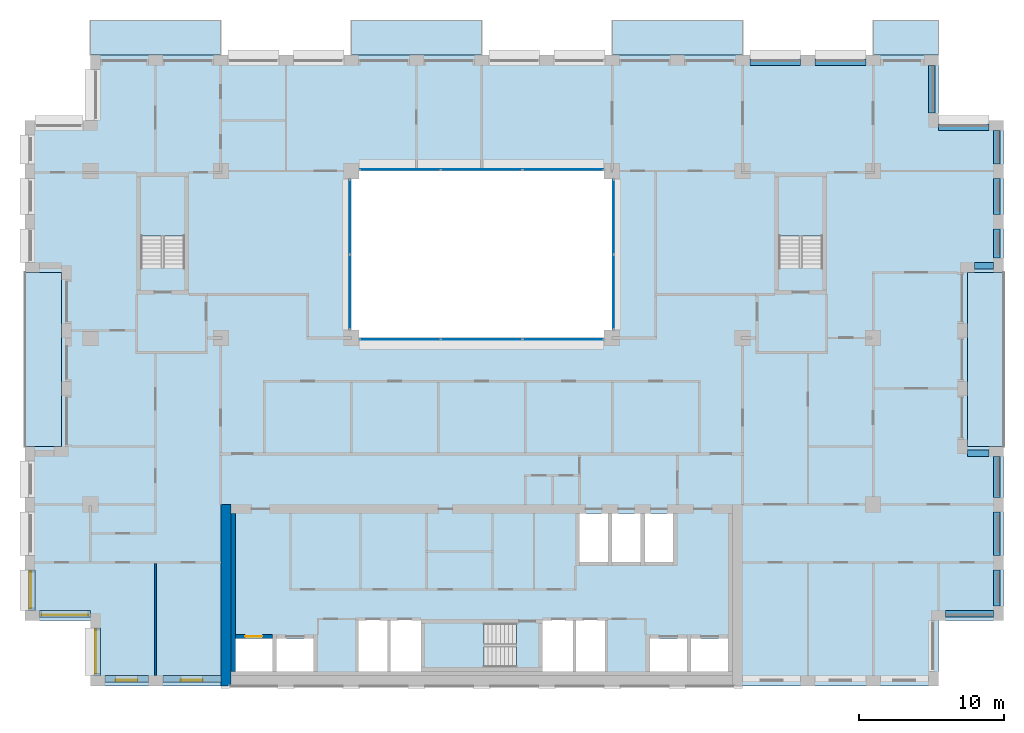
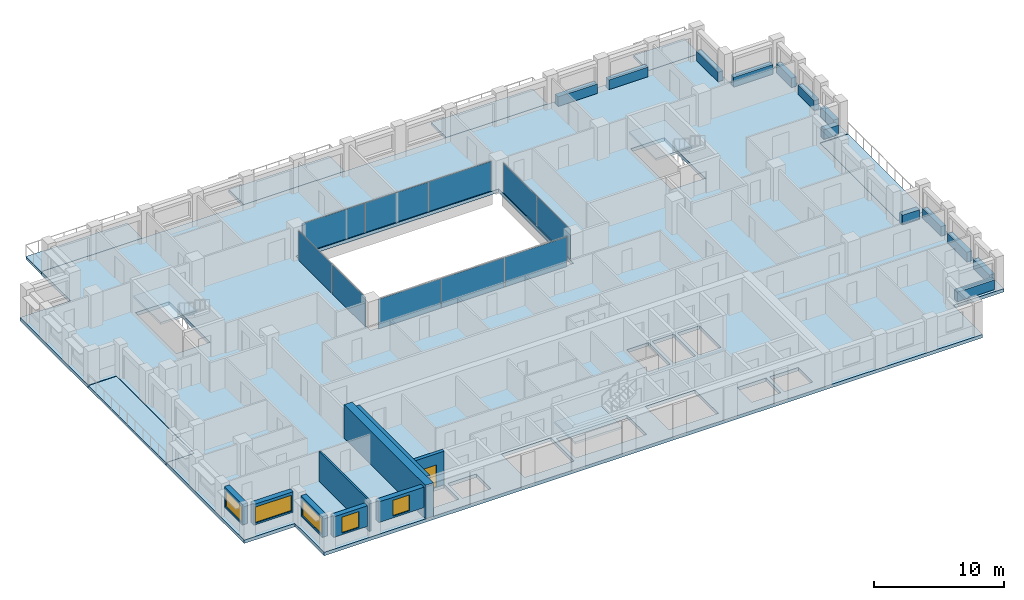
# One storey, part 7 of 15: 13 beams, 10 plates, 10 slabs, 9 walls, 5 windows, 1 door, 6 openings, 7 elements without a shape of their own.
"""IFC4 building model written with IfcOpenShell, lengths in metres."""

from ifc_helpers import new_model, si_unit, direction, frame, frame_2d, origin, origin_2d, place, context, subcontext, project, spatial, polyline, rectangle, outline, extrude, material, layer, layer_set, material_profile, profile_set, type_object, element, fill, aggregate, save


model = new_model("IFC4")

# Units and contexts
model_context = context("Model", 3, precision=1e-05, world=origin(), true_north=direction((0.0, 1.0)))
body_context = subcontext(model_context, "Body", "Model", "MODEL_VIEW")
ifc_project = project(units=[si_unit("LENGTHUNIT", "METRE"), si_unit("AREAUNIT", "SQUARE_METRE"), si_unit("VOLUMEUNIT", "CUBIC_METRE"), si_unit("PLANEANGLEUNIT", "RADIAN"), si_unit("MASSUNIT", "GRAM", prefix="KILO")], contexts=[model_context])

# Site, building, storey
site_placement = place(None, origin())
site = spatial("IfcSite", under=ifc_project, at=site_placement, CompositionType="ELEMENT")
building_placement = place(site_placement, origin())
building = spatial("IfcBuilding", under=site, at=building_placement, Name="Brigalow Station Residences", CompositionType="ELEMENT")
storey_placement = place(building_placement, frame((0.0, 0.0, 147.60009765625)))
storey = spatial("IfcBuildingStorey", under=building, at=storey_placement, Name="L42", CompositionType="ELEMENT", Elevation=147.60009765625)

# Beams
ifc_material_1 = material(Name="Concrete C50", Category="concrete")
ifc_material_profile = material_profile(ifc_material_1, rectangle(XDim=0.449951171875, YDim=0.89990234375, at=origin_2d()), Name="RC450x900")
ifc_profile_set = profile_set([ifc_material_profile], Name="Concrete C50")
beam_type = type_object("IfcBeamType", Name="SPANDREL BEAM 450x900 C50", PredefinedType="SPANDREL", material=ifc_profile_set)
beam_1_placement = place(storey_placement, frame((68.0, 4.97509765625, 0.449951171875), z_axis=(1.0, 0.0, 0.0), x_axis=(0.0, 1.0, 0.0)))
element("IfcBeam", 1, at=beam_1_placement, inside=storey, type_object=beam_type, Name="L42/spandrel/W-L42-8", PredefinedType="SPANDREL", context=body_context, shape_type="SweptSolid", body=[
    extrude(rectangle(XDim=0.449951171875, YDim=0.89990234375, at=origin_2d()), origin(), (0.0, 0.0, 1.0), 3.300048828125),
])
beam_2_placement = place(storey_placement, frame((71.52490234375, 5.5, 0.449951171875), z_axis=(0.0, 1.0, 0.0), x_axis=(-1.0, 0.0, 0.0)))
element("IfcBeam", 2, at=beam_2_placement, inside=storey, type_object=beam_type, Name="L42/spandrel/W-L42-9", PredefinedType="SPANDREL", context=body_context, shape_type="SweptSolid", body=[
    extrude(rectangle(XDim=0.449951171875, YDim=0.89990234375, at=origin_2d()), origin(), (0.0, 0.0, 1.0), 2.5),
])
beam_3_placement = place(storey_placement, frame((71.52490234375, 9.0, 0.449951171875), z_axis=(0.0, 1.0, 0.0), x_axis=(-1.0, 0.0, 0.0)))
element("IfcBeam", 3, at=beam_3_placement, inside=storey, type_object=beam_type, Name="L42/spandrel/W-L42-10", PredefinedType="SPANDREL", context=body_context, shape_type="SweptSolid", body=[
    extrude(rectangle(XDim=0.449951171875, YDim=0.89990234375, at=origin_2d()), origin(), (0.0, 0.0, 1.0), 3.0),
])
beam_4_placement = place(storey_placement, frame((71.52490234375, 13.0, 0.449951171875), z_axis=(0.0, 1.0, 0.0), x_axis=(-1.0, 0.0, 0.0)))
element("IfcBeam", 4, at=beam_4_placement, inside=storey, type_object=beam_type, Name="L42/spandrel/W-L42-11", PredefinedType="SPANDREL", context=body_context, shape_type="SweptSolid", body=[
    extrude(rectangle(XDim=0.449951171875, YDim=0.89990234375, at=origin_2d()), origin(), (0.0, 0.0, 1.0), 2.800048828125),
])
beam_5_placement = place(storey_placement, frame((71.0, 16.02490234375, 0.449951171875), z_axis=(-1.0, 0.0, 0.0), x_axis=(0.0, -1.0, 0.0)))
element("IfcBeam", 5, at=beam_5_placement, inside=storey, type_object=beam_type, Name="L42/spandrel/W-L42-12", PredefinedType="SPANDREL", context=body_context, shape_type="SweptSolid", body=[
    extrude(rectangle(XDim=0.449951171875, YDim=0.89990234375, at=origin_2d()), origin(), (0.0, 0.0, 1.0), 1.5),
])
beam_6_placement = place(storey_placement, frame((70.0, 28.97509765625, 0.449951171875), z_axis=(1.0, 0.0, 0.0), x_axis=(0.0, 1.0, 0.0)))
element("IfcBeam", 6, at=beam_6_placement, inside=storey, type_object=beam_type, Name="L42/spandrel/W-L42-16", PredefinedType="SPANDREL", context=body_context, shape_type="SweptSolid", body=[
    extrude(rectangle(XDim=0.449951171875, YDim=0.89990234375, at=origin_2d()), origin(), (0.0, 0.0, 1.0), 1.300048828125),
])
beam_7_placement = place(storey_placement, frame((71.52490234375, 29.5, 0.449951171875), z_axis=(0.0, 1.0, 0.0), x_axis=(-1.0, 0.0, 0.0)))
element("IfcBeam", 7, at=beam_7_placement, inside=storey, type_object=beam_type, Name="L42/spandrel/W-L42-17", PredefinedType="SPANDREL", context=body_context, shape_type="SweptSolid", body=[
    extrude(rectangle(XDim=0.449951171875, YDim=0.89990234375, at=origin_2d()), origin(), (0.0, 0.0, 1.0), 2.0),
])
beam_8_placement = place(storey_placement, frame((71.52490234375, 32.5, 0.449951171875), z_axis=(0.0, 1.0, 0.0), x_axis=(-1.0, 0.0, 0.0)))
element("IfcBeam", 8, at=beam_8_placement, inside=storey, type_object=beam_type, Name="L42/spandrel/W-L42-18", PredefinedType="SPANDREL", context=body_context, shape_type="SweptSolid", body=[
    extrude(rectangle(XDim=0.449951171875, YDim=0.89990234375, at=origin_2d()), origin(), (0.0, 0.0, 1.0), 2.5),
])
beam_9_placement = place(storey_placement, frame((71.52490234375, 36.0, 0.449951171875), z_axis=(0.0, 1.0, 0.0), x_axis=(-1.0, 0.0, 0.0)))
element("IfcBeam", 9, at=beam_9_placement, inside=storey, type_object=beam_type, Name="L42/spandrel/W-L42-19", PredefinedType="SPANDREL", context=body_context, shape_type="SweptSolid", body=[
    extrude(rectangle(XDim=0.449951171875, YDim=0.89990234375, at=origin_2d()), origin(), (0.0, 0.0, 1.0), 2.300048828125),
])
beam_10_placement = place(storey_placement, frame((71.0, 38.52490234375, 0.449951171875), z_axis=(-1.0, 0.0, 0.0), x_axis=(0.0, -1.0, 0.0)))
element("IfcBeam", 10, at=beam_10_placement, inside=storey, type_object=beam_type, Name="L42/spandrel/W-L42-20", PredefinedType="SPANDREL", context=body_context, shape_type="SweptSolid", body=[
    extrude(rectangle(XDim=0.449951171875, YDim=0.89990234375, at=origin_2d()), origin(), (0.0, 0.0, 1.0), 3.5),
])
beam_11_placement = place(storey_placement, frame((67.02490234375, 39.5, 0.449951171875), z_axis=(0.0, 1.0, 0.0), x_axis=(-1.0, 0.0, 0.0)))
element("IfcBeam", 11, at=beam_11_placement, inside=storey, type_object=beam_type, Name="L42/spandrel/W-L42-21", PredefinedType="SPANDREL", context=body_context, shape_type="SweptSolid", body=[
    extrude(rectangle(XDim=0.449951171875, YDim=0.89990234375, at=origin_2d()), origin(), (0.0, 0.0, 1.0), 3.300048828125),
])
for number, where, z_axis, x_axis, name in (
    (12, (62.5, 43.02490234375, 0.449951171875), (-1.0, 0.0, 0.0), (0.0, -1.0, 0.0), "L42/spandrel/W-L42-23"),
    (13, (58.0, 43.02490234375, 0.449951171875), (-1.0, 0.0, 0.0), (0.0, -1.0, 0.0), "L42/spandrel/W-L42-24"),
):
    element("IfcBeam", number, at=place(storey_placement, frame(where, z_axis=z_axis, x_axis=x_axis)), inside=storey, type_object=beam_type, Name=name, PredefinedType="SPANDREL", context=body_context, shape_type="SweptSolid", body=[
        extrude(rectangle(XDim=0.449951171875, YDim=0.89990234375, at=origin_2d()), origin(), (0.0, 0.0, 1.0), 3.5),
    ])

# Curtain wall, plates
ifc_material_2 = material(Name="Aluminium", Category="aluminium")
ifc_layer_1 = layer(ifc_material_2, 0.14990234375)
ifc_layer_set_1 = layer_set([ifc_layer_1], Name="ATRIUM FIRE-RATED GLAZING CURTAIN WALL")
curtain_wall_type = type_object("IfcCurtainWallType", Name="ATRIUM FIRE-RATED GLAZING CURTAIN WALL", PredefinedType="NOTDEFINED", material=ifc_layer_set_1)
curtain_wall_1_placement = place(storey_placement, origin())
curtain_wall_1 = element("IfcCurtainWall", 14, at=curtain_wall_1_placement, inside=storey, type_object=curtain_wall_type, Name="L42/cw/atrium-S", PredefinedType="NOTDEFINED")
ifc_material_3 = material(Name="Fire-resisting laminated glazing, FRL -/60/-", Category="glass")
ifc_layer_2 = layer(ifc_material_3, 0.031982421875)
ifc_layer_set_2 = layer_set([ifc_layer_2], Name="ATRIUM FIRE-RATED GLAZING PANEL 32")
plate_type = type_object("IfcPlateType", Name="ATRIUM FIRE-RATED GLAZING PANEL 32", PredefinedType="CURTAIN_PANEL", material=ifc_layer_set_2)
plate_1_placement = place(storey_placement, frame((30.381591796875, 23.89990234375, 0.0), z_axis=(0.0, 0.0, 1.0), x_axis=(1.0, 0.0, 0.0)))
plate_1 = element("IfcPlate", 15, at=plate_1_placement, type_object=plate_type, Name="L42/cw/atrium-S/P00-00", PredefinedType="CURTAIN_PANEL", context=body_context, shape_type="SweptSolid", body=[
    extrude(rectangle(XDim=5.543212890625, YDim=0.031982421875, at=origin_2d()), origin(), (0.0, 0.0, 1.0), 2.77001953125),
])
plate_2_placement = place(storey_placement, frame((36.0, 23.89990234375, 0.0), z_axis=(0.0, 0.0, 1.0), x_axis=(1.0, 0.0, 0.0)))
plate_2 = element("IfcPlate", 16, at=plate_2_placement, type_object=plate_type, Name="L42/cw/atrium-S/P01-00", PredefinedType="CURTAIN_PANEL", context=body_context, shape_type="SweptSolid", body=[
    extrude(rectangle(XDim=5.5732421875, YDim=0.031982421875, at=origin_2d()), origin(), (0.0, 0.0, 1.0), 2.77001953125),
])
plate_3_placement = place(storey_placement, frame((41.618408203125, 23.89990234375, 0.0), z_axis=(0.0, 0.0, 1.0), x_axis=(1.0, 0.0, 0.0)))
plate_3 = element("IfcPlate", 17, at=plate_3_placement, type_object=plate_type, Name="L42/cw/atrium-S/P02-00", PredefinedType="CURTAIN_PANEL", context=body_context, shape_type="SweptSolid", body=[
    extrude(rectangle(XDim=5.543212890625, YDim=0.031982421875, at=origin_2d()), origin(), (0.0, 0.0, 1.0), 2.77001953125),
])
aggregate(curtain_wall_1, [plate_1, plate_2, plate_3])

curtain_wall_2_placement = place(storey_placement, origin())
curtain_wall_2 = element("IfcCurtainWall", 18, at=curtain_wall_2_placement, inside=storey, type_object=curtain_wall_type, Name="L42/cw/atrium-E", PredefinedType="NOTDEFINED")
plate_4_placement = place(storey_placement, frame((45.10009765625, 27.1650390625, 0.0), z_axis=(0.0, 0.0, 1.0), x_axis=(0.0, 1.0, 0.0)))
plate_4 = element("IfcPlate", 19, at=plate_4_placement, type_object=plate_type, Name="L42/cw/atrium-E/P00-00", PredefinedType="CURTAIN_PANEL", context=body_context, shape_type="SweptSolid", body=[
    extrude(rectangle(XDim=5.110107421875, YDim=0.031982421875, at=origin_2d()), origin(), (0.0, 0.0, 1.0), 2.77001953125),
])
plate_5_placement = place(storey_placement, frame((45.10009765625, 32.3349609375, 0.0), z_axis=(0.0, 0.0, 1.0), x_axis=(0.0, 1.0, 0.0)))
plate_5 = element("IfcPlate", 20, at=plate_5_placement, type_object=plate_type, Name="L42/cw/atrium-E/P01-00", PredefinedType="CURTAIN_PANEL", context=body_context, shape_type="SweptSolid", body=[
    extrude(rectangle(XDim=5.110107421875, YDim=0.031982421875, at=origin_2d()), origin(), (0.0, 0.0, 1.0), 2.77001953125),
])
aggregate(curtain_wall_2, [plate_4, plate_5])

curtain_wall_3_placement = place(storey_placement, origin())
curtain_wall_3 = element("IfcCurtainWall", 21, at=curtain_wall_3_placement, inside=storey, type_object=curtain_wall_type, Name="L42/cw/atrium-N", PredefinedType="NOTDEFINED")
plate_6_placement = place(storey_placement, frame((41.618408203125, 35.60009765625, 0.0), z_axis=(0.0, 0.0, 1.0), x_axis=(-1.0, 0.0, 0.0)))
plate_6 = element("IfcPlate", 22, at=plate_6_placement, type_object=plate_type, Name="L42/cw/atrium-N/P00-00", PredefinedType="CURTAIN_PANEL", context=body_context, shape_type="SweptSolid", body=[
    extrude(rectangle(XDim=5.543212890625, YDim=0.031982421875, at=origin_2d()), origin(), (0.0, 0.0, 1.0), 2.77001953125),
])
plate_7_placement = place(storey_placement, frame((36.0, 35.60009765625, 0.0), z_axis=(0.0, 0.0, 1.0), x_axis=(-1.0, 0.0, 0.0)))
plate_7 = element("IfcPlate", 23, at=plate_7_placement, type_object=plate_type, Name="L42/cw/atrium-N/P01-00", PredefinedType="CURTAIN_PANEL", context=body_context, shape_type="SweptSolid", body=[
    extrude(rectangle(XDim=5.5732421875, YDim=0.031982421875, at=origin_2d()), origin(), (0.0, 0.0, 1.0), 2.77001953125),
])
plate_8_placement = place(storey_placement, frame((30.381591796875, 35.60009765625, 0.0), z_axis=(0.0, 0.0, 1.0), x_axis=(-1.0, 0.0, 0.0)))
plate_8 = element("IfcPlate", 24, at=plate_8_placement, type_object=plate_type, Name="L42/cw/atrium-N/P02-00", PredefinedType="CURTAIN_PANEL", context=body_context, shape_type="SweptSolid", body=[
    extrude(rectangle(XDim=5.543212890625, YDim=0.031982421875, at=origin_2d()), origin(), (0.0, 0.0, 1.0), 2.77001953125),
])
aggregate(curtain_wall_3, [plate_6, plate_7, plate_8])

curtain_wall_4_placement = place(storey_placement, origin())
curtain_wall_4 = element("IfcCurtainWall", 25, at=curtain_wall_4_placement, inside=storey, type_object=curtain_wall_type, Name="L42/cw/atrium-W", PredefinedType="NOTDEFINED")
plate_9_placement = place(storey_placement, frame((26.89990234375, 32.3349609375, 0.0), z_axis=(0.0, 0.0, 1.0), x_axis=(0.0, -1.0, 0.0)))
plate_9 = element("IfcPlate", 26, at=plate_9_placement, type_object=plate_type, Name="L42/cw/atrium-W/P00-00", PredefinedType="CURTAIN_PANEL", context=body_context, shape_type="SweptSolid", body=[
    extrude(rectangle(XDim=5.110107421875, YDim=0.031982421875, at=origin_2d()), origin(), (0.0, 0.0, 1.0), 2.77001953125),
])
plate_10_placement = place(storey_placement, frame((26.89990234375, 27.1650390625, 0.0), z_axis=(0.0, 0.0, 1.0), x_axis=(0.0, -1.0, 0.0)))
plate_10 = element("IfcPlate", 27, at=plate_10_placement, type_object=plate_type, Name="L42/cw/atrium-W/P01-00", PredefinedType="CURTAIN_PANEL", context=body_context, shape_type="SweptSolid", body=[
    extrude(rectangle(XDim=5.110107421875, YDim=0.031982421875, at=origin_2d()), origin(), (0.0, 0.0, 1.0), 2.77001953125),
])
aggregate(curtain_wall_4, [plate_9, plate_10])

# Slabs
ifc_material_4 = material(Name="Concrete C50 precast", Category="concrete")
ifc_layer_3 = layer(ifc_material_4, 0.25)
ifc_layer_set_3 = layer_set([ifc_layer_3], Name="BALCONY SLAB 250")
slab_type_1 = type_object("IfcSlabType", Name="BALCONY SLAB 250", PredefinedType="USERDEFINED", material=ifc_layer_set_3)
slab_1_placement = place(storey_placement, frame((0.0, 0.0, -0.2900390625)))
element("IfcSlab", 28, at=slab_1_placement, inside=storey, type_object=slab_type_1, Name="L42/balcony/1", ObjectType="BALCONY", PredefinedType="USERDEFINED", context=body_context, shape_type="SweptSolid", body=[
    extrude(outline(polyline([(69.5, 16.5), (72.0, 16.5), (72.0, 28.5), (69.5, 28.5), (69.5, 16.5)])), origin(), (0.0, 0.0, 1.0), 0.25),
])
slab_2_placement = place(storey_placement, frame((0.0, 0.0, -0.2900390625)))
element("IfcSlab", 29, at=slab_2_placement, inside=storey, type_object=slab_type_1, Name="L42/balcony/2", ObjectType="BALCONY", PredefinedType="USERDEFINED", context=body_context, shape_type="SweptSolid", body=[
    extrude(outline(polyline([(67.5, 43.5), (67.5, 45.89990234375), (63.0, 45.89990234375), (63.0, 43.5), (67.5, 43.5)])), origin(), (0.0, 0.0, 1.0), 0.25),
])
slab_3_placement = place(storey_placement, frame((0.0, 0.0, -0.2900390625)))
element("IfcSlab", 30, at=slab_3_placement, inside=storey, type_object=slab_type_1, Name="L42/balcony/3", ObjectType="BALCONY", PredefinedType="USERDEFINED", context=body_context, shape_type="SweptSolid", body=[
    extrude(outline(polyline([(54.0, 43.5), (54.0, 45.89990234375), (45.0, 45.89990234375), (45.0, 43.5), (54.0, 43.5)])), origin(), (0.0, 0.0, 1.0), 0.25),
])
slab_4_placement = place(storey_placement, frame((0.0, 0.0, -0.2900390625)))
element("IfcSlab", 31, at=slab_4_placement, inside=storey, type_object=slab_type_1, Name="L42/balcony/4", ObjectType="BALCONY", PredefinedType="USERDEFINED", context=body_context, shape_type="SweptSolid", body=[
    extrude(outline(polyline([(36.0, 43.5), (36.0, 45.89990234375), (27.0, 45.89990234375), (27.0, 43.5), (36.0, 43.5)])), origin(), (0.0, 0.0, 1.0), 0.25),
])
slab_5_placement = place(storey_placement, frame((0.0, 0.0, -0.2900390625)))
element("IfcSlab", 32, at=slab_5_placement, inside=storey, type_object=slab_type_1, Name="L42/balcony/5", ObjectType="BALCONY", PredefinedType="USERDEFINED", context=body_context, shape_type="SweptSolid", body=[
    extrude(outline(polyline([(18.0, 43.5), (18.0, 45.89990234375), (9.0, 45.89990234375), (9.0, 43.5), (18.0, 43.5)])), origin(), (0.0, 0.0, 1.0), 0.25),
])
slab_6_placement = place(storey_placement, frame((0.0, 0.0, -0.2900390625)))
element("IfcSlab", 33, at=slab_6_placement, inside=storey, type_object=slab_type_1, Name="L42/balcony/6", ObjectType="BALCONY", PredefinedType="USERDEFINED", context=body_context, shape_type="SweptSolid", body=[
    extrude(outline(polyline([(7.0, 28.5), (4.5, 28.5), (4.5, 16.5), (7.0, 16.5), (7.0, 28.5)])), origin(), (0.0, 0.0, 1.0), 0.25),
])
ifc_material_5 = material(Name="Concrete C50", Category="concrete")
ifc_layer_4 = layer(ifc_material_5, 0.320068359375)
ifc_layer_set_4 = layer_set([ifc_layer_4], Name="POST-TENSIONED FLAT PLATE 320 C50")
slab_type_2 = type_object("IfcSlabType", Name="POST-TENSIONED FLAT PLATE 320 C50", PredefinedType="FLOOR", material=ifc_layer_set_4)
slab_7_placement = place(storey_placement, frame((0.0, 0.0, -0.320068359375)))
element("IfcSlab", 34, at=slab_7_placement, inside=storey, type_object=slab_type_2, Name="FLOOR SLAB L42", PredefinedType="FLOOR", context=body_context, shape_type="SweptSolid", body=[
    extrude(outline(polyline([(9.0, 0.0), (67.5, 0.0), (67.5, 4.5), (72.0, 4.5), (72.0, 16.5), (69.5, 16.5), (69.5, 28.5), (72.0, 28.5), (72.0, 39.0), (67.5, 39.0), (67.5, 43.5), (9.0, 43.5), (9.0, 39.0), (4.5, 39.0), (4.5, 28.5), (7.0, 28.5), (7.0, 16.5), (4.5, 16.5), (4.5, 4.5), (9.0, 4.5), (9.0, 0.0)]), holes=[polyline([(12.5048828125, 35.094970703125), (15.4951171875, 35.094970703125), (15.4951171875, 28.804931640625), (12.5048828125, 28.804931640625), (12.5048828125, 35.094970703125)]), polyline([(19.0, 1.0), (19.0, 3.25), (21.550048828125, 3.25), (21.550048828125, 1.0), (19.0, 1.0)]), polyline([(21.85009765625, 3.25), (24.39990234375, 3.25), (24.39990234375, 1.0), (21.85009765625, 1.0), (21.85009765625, 3.25)]), polyline([(27.0, 35.5), (45.0, 35.5), (45.0, 24.0), (27.0, 24.0), (27.0, 35.5)]), polyline([(29.60009765625, 4.60009765625), (31.800048828125, 4.60009765625), (31.800048828125, 1.0), (29.60009765625, 1.0), (27.39990234375, 1.0), (27.39990234375, 4.60009765625), (29.60009765625, 4.60009765625)]), polyline([(32.10498046875, 4.294921875), (38.39501953125, 4.294921875), (38.39501953125, 1.304931640625), (32.10498046875, 1.304931640625), (32.10498046875, 4.294921875)]), polyline([(40.199951171875, 4.60009765625), (42.39990234375, 4.60009765625), (44.60009765625, 4.60009765625), (44.60009765625, 1.0), (42.39990234375, 1.0), (40.199951171875, 1.0), (40.199951171875, 4.60009765625)]), polyline([(42.75, 11.89990234375), (44.699951171875, 11.89990234375), (44.699951171875, 8.550048828125), (42.75, 8.550048828125), (42.75, 11.89990234375)]), polyline([(45.0, 11.89990234375), (46.949951171875, 11.89990234375), (46.949951171875, 8.550048828125), (45.0, 8.550048828125), (45.0, 11.89990234375)]), polyline([(47.25, 11.89990234375), (49.199951171875, 11.89990234375), (49.199951171875, 8.550048828125), (47.25, 8.550048828125), (47.25, 11.89990234375)]), polyline([(47.60009765625, 3.25), (50.14990234375, 3.25), (50.14990234375, 1.0), (47.60009765625, 1.0), (47.60009765625, 3.25)]), polyline([(50.449951171875, 3.25), (53.0, 3.25), (53.0, 1.0), (50.449951171875, 1.0), (50.449951171875, 3.25)]), polyline([(56.5048828125, 35.094970703125), (59.4951171875, 35.094970703125), (59.4951171875, 28.804931640625), (56.5048828125, 28.804931640625), (56.5048828125, 35.094970703125)])]), origin(), (0.0, 0.0, 1.0), 0.320068359375),
])

# Stair, slab
ifc_material_6 = material(Name="Concrete C50", Category="concrete")
stair_type = type_object("IfcStairType", Name="EXIT STAIR 1400 2 FLIGHT", PredefinedType="HALF_TURN_STAIR", material=ifc_material_6)
stair_1_placement = place(storey_placement, origin())
stair_1 = element("IfcStair", 35, at=stair_1_placement, inside=storey, type_object=stair_type, Name="EXIT STAIR S2 L42", PredefinedType="HALF_TURN_STAIR")
ifc_material_7 = material(Name="Concrete C50", Category="concrete")
ifc_layer_5 = layer(ifc_material_7, 0.199951171875)
ifc_layer_set_5 = layer_set([ifc_layer_5], Name="STAIR LANDING 200")
slab_type_3 = type_object("IfcSlabType", Name="STAIR LANDING 200", PredefinedType="LANDING", material=ifc_layer_set_5)
slab_8_placement = place(storey_placement, frame((0.0, 0.0, 1.375)))
slab_8 = element("IfcSlab", 36, at=slab_8_placement, type_object=slab_type_3, Name="ST-2 landing 1", PredefinedType="LANDING", context=body_context, shape_type="SweptSolid", body=[
    extrude(outline(polyline([(32.0, 1.199951171875), (36.159912109375, 1.199951171875), (36.159912109375, 4.39990234375), (32.0, 4.39990234375), (32.0, 1.199951171875)])), origin(), (0.0, 0.0, 1.0), 0.199951171875),
])
aggregate(stair_1, [slab_8])

stair_2_placement = place(storey_placement, origin())
stair_2 = element("IfcStair", 37, at=stair_2_placement, inside=storey, type_object=stair_type, Name="EXIT STAIR S1 L42", PredefinedType="HALF_TURN_STAIR")
slab_9_placement = place(storey_placement, frame((0.0, 0.0, 1.375)))
slab_9 = element("IfcSlab", 38, at=slab_9_placement, type_object=slab_type_3, Name="ST-1 landing 1", PredefinedType="LANDING", context=body_context, shape_type="SweptSolid", body=[
    extrude(outline(polyline([(12.39990234375, 31.0400390625), (15.60009765625, 31.0400390625), (15.60009765625, 35.199951171875), (12.39990234375, 35.199951171875), (12.39990234375, 31.0400390625)])), origin(), (0.0, 0.0, 1.0), 0.199951171875),
])
aggregate(stair_2, [slab_9])

stair_3_placement = place(storey_placement, origin())
stair_3 = element("IfcStair", 39, at=stair_3_placement, inside=storey, type_object=stair_type, Name="EXIT STAIR S3 L42", PredefinedType="HALF_TURN_STAIR")
slab_10_placement = place(storey_placement, frame((0.0, 0.0, 1.375)))
slab_10 = element("IfcSlab", 40, at=slab_10_placement, type_object=slab_type_3, Name="ST-3 landing 1", PredefinedType="LANDING", context=body_context, shape_type="SweptSolid", body=[
    extrude(outline(polyline([(56.39990234375, 31.0400390625), (59.60009765625, 31.0400390625), (59.60009765625, 35.199951171875), (56.39990234375, 35.199951171875), (56.39990234375, 31.0400390625)])), origin(), (0.0, 0.0, 1.0), 0.199951171875),
])
aggregate(stair_3, [slab_10])

# Wall, opening, window
ifc_material_8 = material(Name="Clay brick masonry", Category="masonry")
ifc_layer_6 = layer(ifc_material_8, 0.449951171875)
ifc_layer_set_6 = layer_set([ifc_layer_6], Name="BRICK INFILL WALL 450")
wall_type_1 = type_object("IfcWallType", Name="BRICK INFILL WALL 450", PredefinedType="SOLIDWALL", material=ifc_layer_set_6)
wall_1_placement = place(storey_placement, frame((10.0, 0.47509765625, 0.89990234375), z_axis=(0.0, 0.0, 1.0), x_axis=(1.0, 0.0, 0.0)))
wall_1 = element("IfcWall", 41, at=wall_1_placement, inside=storey, type_object=wall_type_1, Name="L42/ewall/W-L42-1", PredefinedType="SOLIDWALL", context=body_context, shape_type="SweptSolid", body=[
    extrude(rectangle(XDim=3.0, YDim=0.449951171875, at=frame_2d((1.5, 0.0))), origin(), (0.0, 0.0, 1.0), 1.929931640625),
])
opening_1_placement = place(wall_1_placement, frame((0.75, 0.0, 0.14990234375)))
opening_1 = element("IfcOpeningElement", 42, at=opening_1_placement, cuts=wall_1, Name="Opening WT-1", PredefinedType="OPENING", context=body_context, shape_type="SweptSolid", body=[
    extrude(rectangle(XDim=1.5, YDim=1.5, at=frame_2d((0.75, 0.75))), frame((0.0, 0.23486328125, 0.0), z_axis=(0.0, -1.0, 0.0), x_axis=(1.0, 0.0, 0.0)), (0.0, 0.0, 1.0), 0.469970703125),
])
ifc_material_9 = material(Name="Anodised aluminium frame with double glazing", Category="aluminium")
window_type_1 = type_object("IfcWindowType", Name="WINDOW 1500x1500", PartitioningType="SINGLE_PANEL", PredefinedType="WINDOW", material=ifc_material_9)
window_1_placement = place(opening_1_placement, origin())
window_1 = element("IfcWindow", 43, at=window_1_placement, inside=storey, type_object=window_type_1, Name="L42/window/W-L42-1", OverallHeight=1.5, OverallWidth=1.5, PartitioningType="SINGLE_PANEL", PredefinedType="WINDOW", context=body_context, shape_type="SweptSolid", body=[
    extrude(rectangle(XDim=1.5, YDim=1.5, at=frame_2d((0.75, 0.75))), frame((0.0, -0.06494140625, 0.0), z_axis=(0.0, -1.0, 0.0), x_axis=(1.0, 0.0, 0.0)), (0.0, 0.0, 1.0), 0.06005859375),
])
fill(opening_1, window_1)

wall_2_placement = place(storey_placement, frame((14.0, 0.47509765625, 0.89990234375), z_axis=(0.0, 0.0, 1.0), x_axis=(1.0, 0.0, 0.0)))
wall_2 = element("IfcWall", 44, at=wall_2_placement, inside=storey, type_object=wall_type_1, Name="L42/ewall/W-L42-2", PredefinedType="SOLIDWALL", context=body_context, shape_type="SweptSolid", body=[
    extrude(rectangle(XDim=4.0, YDim=0.449951171875, at=frame_2d((2.0, 0.0))), origin(), (0.0, 0.0, 1.0), 1.929931640625),
])
opening_2_placement = place(wall_2_placement, frame((1.25, 0.0, 0.14990234375)))
opening_2 = element("IfcOpeningElement", 45, at=opening_2_placement, cuts=wall_2, Name="Opening WT-1", PredefinedType="OPENING", context=body_context, shape_type="SweptSolid", body=[
    extrude(rectangle(XDim=1.5, YDim=1.5, at=frame_2d((0.75, 0.75))), frame((0.0, 0.23486328125, 0.0), z_axis=(0.0, -1.0, 0.0), x_axis=(1.0, 0.0, 0.0)), (0.0, 0.0, 1.0), 0.469970703125),
])
window_2_placement = place(opening_2_placement, origin())
window_2 = element("IfcWindow", 46, at=window_2_placement, inside=storey, type_object=window_type_1, Name="L42/window/W-L42-2", OverallHeight=1.5, OverallWidth=1.5, PartitioningType="SINGLE_PANEL", PredefinedType="WINDOW", context=body_context, shape_type="SweptSolid", body=[
    extrude(rectangle(XDim=1.5, YDim=1.5, at=frame_2d((0.75, 0.75))), frame((0.0, -0.06494140625, 0.0), z_axis=(0.0, -1.0, 0.0), x_axis=(1.0, 0.0, 0.0)), (0.0, 0.0, 1.0), 0.06005859375),
])
fill(opening_2, window_2)

wall_3_placement = place(storey_placement, frame((4.97509765625, 8.0, 0.89990234375), z_axis=(0.0, 0.0, 1.0), x_axis=(0.0, -1.0, 0.0)))
wall_3 = element("IfcWall", 47, at=wall_3_placement, inside=storey, type_object=wall_type_1, Name="L42/ewall/W-L42-47", PredefinedType="SOLIDWALL", context=body_context, shape_type="SweptSolid", body=[
    extrude(rectangle(XDim=2.800048828125, YDim=0.449951171875, at=frame_2d((1.39990234375, 0.0))), origin(), (0.0, 0.0, 1.0), 1.929931640625),
])
opening_3_placement = place(wall_3_placement, frame((0.14990234375, 0.0, 0.14990234375)))
opening_3 = element("IfcOpeningElement", 48, at=opening_3_placement, cuts=wall_3, Name="Opening WT-5", PredefinedType="OPENING", context=body_context, shape_type="SweptSolid", body=[
    extrude(rectangle(XDim=2.5, YDim=1.5, at=frame_2d((1.25, 0.75))), frame((0.0, 0.23486328125, 0.0), z_axis=(0.0, -1.0, 0.0), x_axis=(1.0, 0.0, 0.0)), (0.0, 0.0, 1.0), 0.469970703125),
])
ifc_material_10 = material(Name="Anodised aluminium frame with double glazing", Category="aluminium")
window_type_2 = type_object("IfcWindowType", Name="WINDOW 2500x1500", PartitioningType="SINGLE_PANEL", PredefinedType="WINDOW", material=ifc_material_10)
window_3_placement = place(opening_3_placement, origin())
window_3 = element("IfcWindow", 49, at=window_3_placement, inside=storey, type_object=window_type_2, Name="L42/window/W-L42-47", OverallHeight=1.5, OverallWidth=2.5, PartitioningType="SINGLE_PANEL", PredefinedType="WINDOW", context=body_context, shape_type="SweptSolid", body=[
    extrude(rectangle(XDim=2.5, YDim=1.5, at=frame_2d((1.25, 0.75))), frame((0.0, -0.06494140625, 0.0), z_axis=(0.0, -1.0, 0.0), x_axis=(1.0, 0.0, 0.0)), (0.0, 0.0, 1.0), 0.06005859375),
])
fill(opening_3, window_3)

wall_4_placement = place(storey_placement, frame((5.5, 4.97509765625, 0.89990234375), z_axis=(0.0, 0.0, 1.0), x_axis=(1.0, 0.0, 0.0)))
wall_4 = element("IfcWall", 50, at=wall_4_placement, inside=storey, type_object=wall_type_1, Name="L42/ewall/W-L42-48", PredefinedType="SOLIDWALL", context=body_context, shape_type="SweptSolid", body=[
    extrude(rectangle(XDim=3.5, YDim=0.449951171875, at=frame_2d((1.75, 0.0))), origin(), (0.0, 0.0, 1.0), 1.929931640625),
])
opening_4_placement = place(wall_4_placement, frame((0.14990234375, 0.0, 0.14990234375)))
opening_4 = element("IfcOpeningElement", 51, at=opening_4_placement, cuts=wall_4, Name="Opening WT-9", PredefinedType="OPENING", context=body_context, shape_type="SweptSolid", body=[
    extrude(rectangle(XDim=3.199951171875, YDim=1.5, at=frame_2d((1.60009765625, 0.75))), frame((0.0, 0.23486328125, 0.0), z_axis=(0.0, -1.0, 0.0), x_axis=(1.0, 0.0, 0.0)), (0.0, 0.0, 1.0), 0.469970703125),
])
ifc_material_11 = material(Name="Anodised aluminium frame with double glazing", Category="aluminium")
window_type_3 = type_object("IfcWindowType", Name="WINDOW 3200x1500", PartitioningType="SINGLE_PANEL", PredefinedType="WINDOW", material=ifc_material_11)
window_4_placement = place(opening_4_placement, origin())
window_4 = element("IfcWindow", 52, at=window_4_placement, inside=storey, type_object=window_type_3, Name="L42/window/W-L42-48", OverallHeight=1.5, OverallWidth=3.199951171875, PartitioningType="SINGLE_PANEL", PredefinedType="WINDOW", context=body_context, shape_type="SweptSolid", body=[
    extrude(rectangle(XDim=3.199951171875, YDim=1.5, at=frame_2d((1.60009765625, 0.75))), frame((0.0, -0.06494140625, 0.0), z_axis=(0.0, -1.0, 0.0), x_axis=(1.0, 0.0, 0.0)), (0.0, 0.0, 1.0), 0.06005859375),
])
fill(opening_4, window_4)

wall_5_placement = place(storey_placement, frame((9.47509765625, 4.0, 0.89990234375), z_axis=(0.0, 0.0, 1.0), x_axis=(0.0, -1.0, 0.0)))
wall_5 = element("IfcWall", 53, at=wall_5_placement, inside=storey, type_object=wall_type_1, Name="L42/ewall/W-L42-49", PredefinedType="SOLIDWALL", context=body_context, shape_type="SweptSolid", body=[
    extrude(rectangle(XDim=3.300048828125, YDim=0.449951171875, at=frame_2d((1.64990234375, 0.0))), origin(), (0.0, 0.0, 1.0), 1.929931640625),
])
opening_5_placement = place(wall_5_placement, frame((0.14990234375, 0.0, 0.14990234375)))
opening_5 = element("IfcOpeningElement", 54, at=opening_5_placement, cuts=wall_5, Name="Opening WT-2", PredefinedType="OPENING", context=body_context, shape_type="SweptSolid", body=[
    extrude(rectangle(XDim=3.0, YDim=1.5, at=frame_2d((1.5, 0.75))), frame((0.0, 0.23486328125, 0.0), z_axis=(0.0, -1.0, 0.0), x_axis=(1.0, 0.0, 0.0)), (0.0, 0.0, 1.0), 0.469970703125),
])
ifc_material_12 = material(Name="Anodised aluminium frame with double glazing", Category="aluminium")
window_type_4 = type_object("IfcWindowType", Name="WINDOW 3000x1500", PartitioningType="SINGLE_PANEL", PredefinedType="WINDOW", material=ifc_material_12)
window_5_placement = place(opening_5_placement, origin())
window_5 = element("IfcWindow", 55, at=window_5_placement, inside=storey, type_object=window_type_4, Name="L42/window/W-L42-49", OverallHeight=1.5, OverallWidth=3.0, PartitioningType="SINGLE_PANEL", PredefinedType="WINDOW", context=body_context, shape_type="SweptSolid", body=[
    extrude(rectangle(XDim=3.0, YDim=1.5, at=frame_2d((1.5, 0.75))), frame((0.0, -0.06494140625, 0.0), z_axis=(0.0, -1.0, 0.0), x_axis=(1.0, 0.0, 0.0)), (0.0, 0.0, 1.0), 0.06005859375),
])
fill(opening_5, window_5)

# Wall
ifc_material_13 = material(Name="Concrete C65", Category="concrete")
ifc_layer_7 = layer(ifc_material_13, 0.300048828125)
ifc_layer_set_7 = layer_set([ifc_layer_7], Name="CORE SHEAR WALL 300 C65")
wall_type_2 = type_object("IfcWallType", Name="CORE SHEAR WALL 300 C65", PredefinedType="SHEAR", material=ifc_layer_set_7)
wall_6_placement = place(storey_placement, frame((18.85009765625, 1.0, 0.0), z_axis=(0.0, 0.0, 1.0), x_axis=(0.0, 1.0, 0.0)))
element("IfcWall", 56, at=wall_6_placement, inside=storey, type_object=wall_type_2, Name="CORE WALL LIN-W L42", PredefinedType="SHEAR", context=body_context, shape_type="SweptSolid", body=[
    extrude(rectangle(XDim=10.89990234375, YDim=0.300048828125, at=frame_2d((5.449951171875, 0.0))), origin(), (0.0, 0.0, 1.0), 3.14990234375),
])

# Wall, opening, door
wall_7_placement = place(storey_placement, frame((19.0, 3.39990234375, 0.0), z_axis=(0.0, 0.0, 1.0), x_axis=(1.0, 0.0, 0.0)))
wall_7 = element("IfcWall", 57, at=wall_7_placement, inside=storey, type_object=wall_type_2, Name="CORE WALL SH-C1-N L42", PredefinedType="SHEAR", context=body_context, shape_type="SweptSolid", body=[
    extrude(rectangle(XDim=2.550048828125, YDim=0.300048828125, at=frame_2d((1.27490234375, 0.0))), origin(), (0.0, 0.0, 1.0), 3.14990234375),
])
opening_6_placement = place(wall_7_placement, frame((0.675048828125, 0.0, 0.0)))
opening_6 = element("IfcOpeningElement", 58, at=opening_6_placement, cuts=wall_7, Name="Opening LD-LB1", PredefinedType="OPENING", context=body_context, shape_type="SweptSolid", body=[
    extrude(rectangle(XDim=1.199951171875, YDim=2.10009765625, at=frame_2d((0.60009765625, 1.050048828125))), frame((0.0, 0.16015625, 0.0), z_axis=(0.0, -1.0, 0.0), x_axis=(1.0, 0.0, 0.0)), (0.0, 0.0, 1.0), 0.320068359375),
])
ifc_material_14 = material(Name="Stainless steel sliding door leaves", Category="steel")
door_type = type_object("IfcDoorType", Name="LIFT LANDING DOOR 1200 x 2100", OperationType="DOUBLE_DOOR_SLIDING", PredefinedType="DOOR", material=ifc_material_14)
door_placement = place(opening_6_placement, origin())
door = element("IfcDoor", 59, at=door_placement, inside=storey, type_object=door_type, Name="LANDING DOOR LB1", OperationType="DOUBLE_DOOR_SLIDING", OverallHeight=2.10009765625, OverallWidth=1.199951171875, PredefinedType="DOOR", context=body_context, shape_type="SweptSolid", body=[
    extrude(rectangle(XDim=1.199951171875, YDim=2.10009765625, at=frame_2d((0.60009765625, 1.050048828125))), frame((0.0, 0.02490234375, 0.0), z_axis=(0.0, -1.0, 0.0), x_axis=(1.0, 0.0, 0.0)), (0.0, 0.0, 1.0), 0.050048828125),
])
fill(opening_6, door)

# Walls
ifc_material_15 = material(Name="Concrete C65", Category="concrete")
ifc_layer_8 = layer(ifc_material_15, 0.699951171875)
ifc_layer_set_8 = layer_set([ifc_layer_8], Name="CORE SHEAR WALL 700 C65")
wall_type_3 = type_object("IfcWallType", Name="CORE SHEAR WALL 700 C65", PredefinedType="SHEAR", material=ifc_layer_set_8)
wall_8_placement = place(storey_placement, frame((18.35009765625, 0.0, 0.0), z_axis=(0.0, 0.0, 1.0), x_axis=(0.0, 1.0, 0.0)))
element("IfcWall", 60, at=wall_8_placement, inside=storey, type_object=wall_type_3, Name="CORE WALL OUT-W L42", PredefinedType="SHEAR", context=body_context, shape_type="SweptSolid", body=[
    extrude(rectangle(XDim=12.5, YDim=0.699951171875, at=frame_2d((6.25, 0.0))), origin(), (0.0, 0.0, 1.0), 3.14990234375),
])
ifc_material_16 = material(Name="Plasterboard on steel stud partition", Category="steel")
ifc_layer_9 = layer(ifc_material_16, 0.14990234375)
ifc_layer_set_9 = layer_set([ifc_layer_9], Name="FLAT PARTITION 150")
wall_type_4 = type_object("IfcWallType", Name="FLAT PARTITION 150", PredefinedType="PARTITIONING", material=ifc_layer_set_9)
wall_9_placement = place(storey_placement, frame((13.5, 0.699951171875, 0.0), z_axis=(0.0, 0.0, 1.0), x_axis=(0.0, 1.0, 0.0)))
element("IfcWall", 61, at=wall_9_placement, inside=storey, type_object=wall_type_4, Name="PW-3A38", PredefinedType="PARTITIONING", context=body_context, shape_type="SweptSolid", body=[
    extrude(rectangle(XDim=7.72509765625, YDim=0.14990234375, at=frame_2d((3.862548828125, 0.0))), origin(), (0.0, 0.0, 1.0), 2.829833984375),
])

save(model, "model.ifc")
